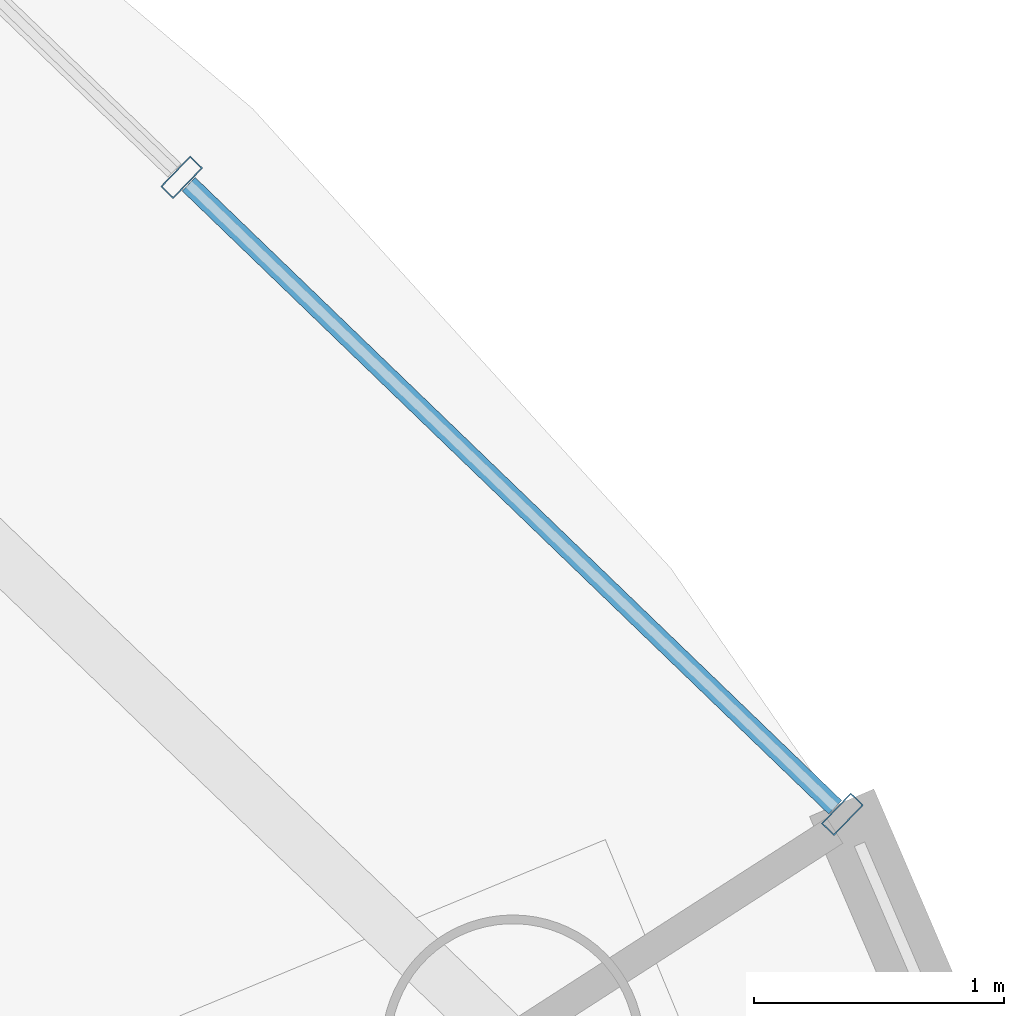
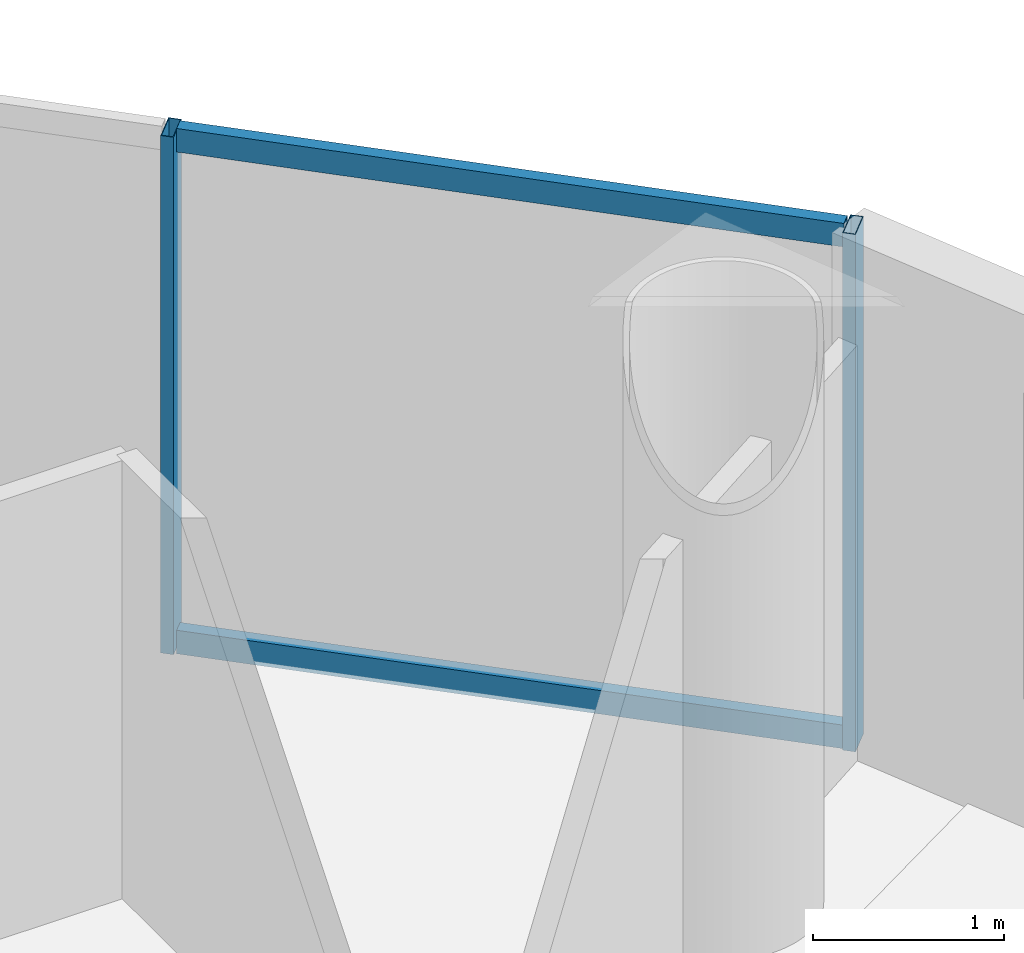
# One storey, part 13 of 23: 4 members, 1 element without a shape of its own.
"""IFC4 building model written with IfcOpenShell, lengths in metres."""

from ifc_helpers import new_model, si_unit, direction, frame, origin, origin_2d, place, context, subcontext, project, spatial, hollow_rectangle, extrude, source, transform, mapped, material, material_profile, profile_set, type_object, element, aggregate, save


model = new_model("IFC4")

# Units and contexts
model_context = context("Model", 3, precision=1e-05, world=origin(), true_north=direction((-0.2419218956, 0.970295726276)))
body_context = subcontext(model_context, "Body", "Model", "MODEL_VIEW")
ifc_project = project(units=[si_unit("LENGTHUNIT", "METRE"), si_unit("AREAUNIT", "SQUARE_METRE"), si_unit("VOLUMEUNIT", "CUBIC_METRE"), si_unit("PLANEANGLEUNIT", "RADIAN"), si_unit("MASSUNIT", "GRAM", prefix="KILO")], contexts=[model_context])

# Site, building, storey
site_placement = place(None, origin())
site = spatial("IfcSite", under=ifc_project, at=site_placement, CompositionType="ELEMENT")
building_placement = place(site_placement, origin())
building = spatial("IfcBuilding", under=site, at=building_placement, Name="Cobrevalo Terracotta Tower", CompositionType="ELEMENT")
storey_placement = place(building_placement, frame((0.0, 0.0, 296.949951171875)))
storey = spatial("IfcBuildingStorey", under=building, at=storey_placement, Name="L78", CompositionType="ELEMENT", Elevation=296.949951171875)

# Curtain wall, members
ifc_material = material(Name="Anodized aluminium", Category="aluminium")
curtain_wall_type = type_object("IfcCurtainWallType", Name="Upper-tower triple-glazed penthouse curtain wall CW-U3", PredefinedType="NOTDEFINED", material=ifc_material)
curtain_wall_placement = place(storey_placement, origin())
curtain_wall = element("IfcCurtainWall", 1, at=curtain_wall_placement, inside=storey, type_object=curtain_wall_type, Name="L78 curtain wall CW-L78-S02", PredefinedType="NOTDEFINED")
ifc_material_profile_1 = material_profile(ifc_material, hollow_rectangle(XDim=0.074951171875, YDim=0.14990234375, WallThickness=0.00439453125, at=origin_2d()), Name="CWT 75x150")
ifc_profile_set_1 = profile_set([ifc_material_profile_1], Name="Anodized aluminium")
member_type_1 = type_object("IfcMemberType", Name="Tower unitised aluminium transom 75x150", PredefinedType="USERDEFINED", material=ifc_profile_set_1)
shared_shape_1 = source(origin(), body_context, "Body", "SweptSolid", [
    extrude(hollow_rectangle(XDim=0.074951171875, YDim=0.14990234375, WallThickness=0.00439453125, at=origin_2d()), origin(), (0.0, 0.0, 1.0), 3.59130859375),
])
member_1_placement = place(storey_placement, frame((54.0478515625, 37.22802734375, 0.050048828125), z_axis=(-0.720005628362, 0.693968223427, 0.0), x_axis=(-0.693968223427, -0.720005628362, 0.0)))
member_1 = element("IfcMember", 2, at=member_1_placement, type_object=member_type_1, Name="CW-L78-S02 transom B01-T1", ObjectType="TRANSOM", PredefinedType="USERDEFINED", context=body_context, shape_type="MappedRepresentation", body=[
    mapped(shared_shape_1, transform((0.0, 0.0, 0.0), scale=1.0)),
])
member_2_placement = place(storey_placement, frame((54.0478515625, 37.22802734375, 3.25), z_axis=(-0.720005628362, 0.693968223427, 0.0), x_axis=(-0.693968223427, -0.720005628362, 0.0)))
member_2 = element("IfcMember", 3, at=member_2_placement, type_object=member_type_1, Name="CW-L78-S02 transom B01-T2", ObjectType="TRANSOM", PredefinedType="USERDEFINED", context=body_context, shape_type="MappedRepresentation", body=[
    mapped(shared_shape_1, transform((0.0, 0.0, 0.0), scale=1.0)),
])
ifc_material_profile_2 = material_profile(ifc_material, hollow_rectangle(XDim=0.070068359375, YDim=0.169921875, WallThickness=0.00439453125, at=origin_2d()), Name="CWM 70x170")
ifc_profile_set_2 = profile_set([ifc_material_profile_2], Name="Anodized aluminium")
member_type_2 = type_object("IfcMemberType", Name="Upper tower unitised mullion 70x170", PredefinedType="MULLION", material=ifc_profile_set_2)
shared_shape_2 = source(origin(), body_context, "Body", "SweptSolid", [
    extrude(hollow_rectangle(XDim=0.070068359375, YDim=0.169921875, WallThickness=0.00439453125, at=origin_2d()), origin(), (0.0, 0.0, 1.0), 3.300048828125),
])
member_3_placement = place(storey_placement, frame((54.07666015625, 37.2001953125, 0.0), z_axis=(0.0, 0.0, 1.0), x_axis=(-0.71999418085, 0.69398010025, 0.0)))
member_3 = element("IfcMember", 4, at=member_3_placement, type_object=member_type_2, Name="CW-L78-S02 vertical mullion 01", PredefinedType="MULLION", context=body_context, shape_type="MappedRepresentation", body=[
    mapped(shared_shape_2, transform((0.0, 0.0, 0.0), scale=1.0)),
])
member_4_placement = place(storey_placement, frame((51.43359375, 39.748046875, 0.0), z_axis=(0.0, 0.0, 1.0), x_axis=(-0.71999418085, 0.69398010025, 0.0)))
member_4 = element("IfcMember", 5, at=member_4_placement, type_object=member_type_2, Name="CW-L78-S02 vertical mullion 02", PredefinedType="MULLION", context=body_context, shape_type="MappedRepresentation", body=[
    mapped(shared_shape_2, transform((0.0, 0.0, 0.0), scale=1.0)),
])
aggregate(curtain_wall, [member_3, member_4, member_1, member_2])

save(model, "model.ifc")
